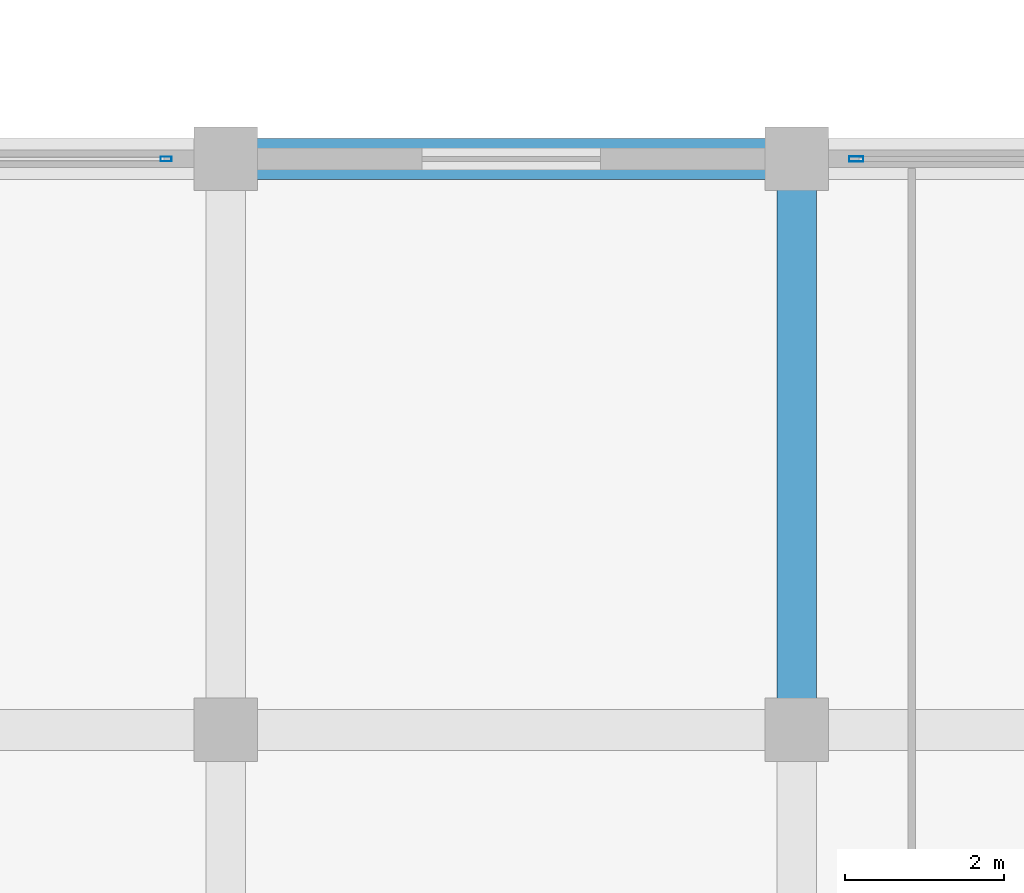
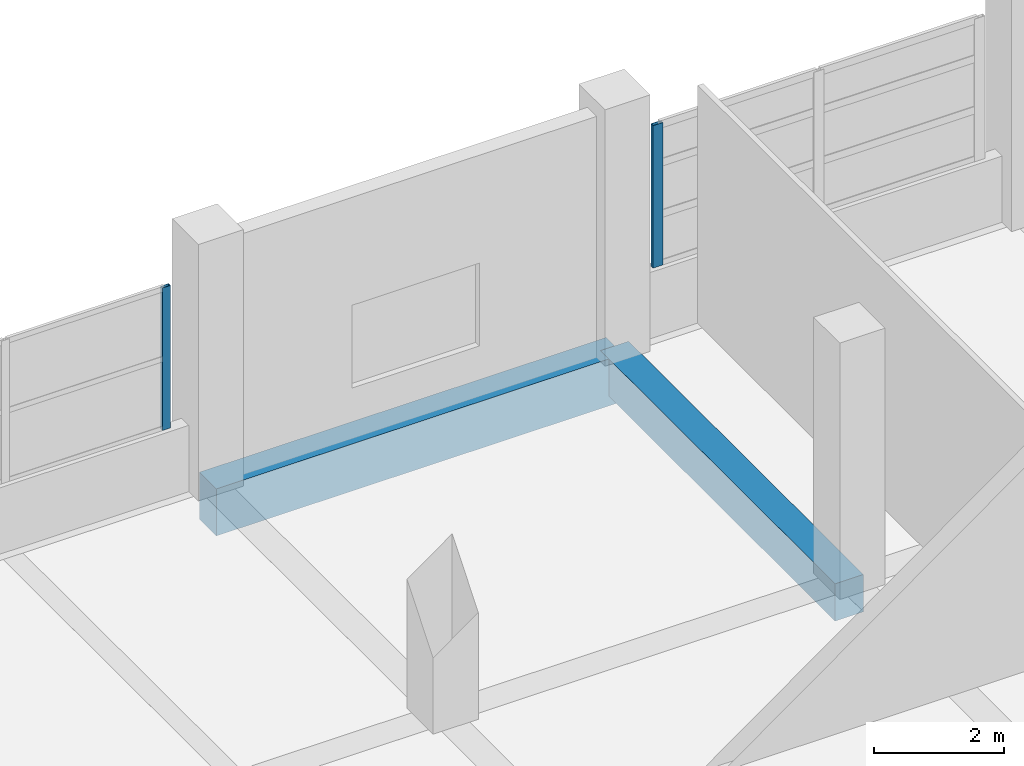
# One storey, part 14 of 140: 2 beams, 2 members, 2 elements without a shape of their own.
"""IFC4 building model written with IfcOpenShell, lengths in metres."""

from ifc_helpers import new_model, si_unit, direction, frame, origin, origin_2d, place, context, subcontext, project, spatial, rectangle, hollow_rectangle, extrude, material, layer, layer_set, material_profile, profile_set, type_object, element, aggregate, save


model = new_model("IFC4")

# Units and contexts
model_context = context("Model", 3, precision=1e-05, world=origin(), true_north=direction((0.0, 1.0)))
body_context = subcontext(model_context, "Body", "Model", "MODEL_VIEW")
ifc_project = project(units=[si_unit("LENGTHUNIT", "METRE"), si_unit("AREAUNIT", "SQUARE_METRE"), si_unit("VOLUMEUNIT", "CUBIC_METRE"), si_unit("PLANEANGLEUNIT", "RADIAN"), si_unit("MASSUNIT", "GRAM", prefix="KILO")], contexts=[model_context])

# Site, building, storey
site_placement = place(None, origin())
site = spatial("IfcSite", under=ifc_project, at=site_placement, CompositionType="ELEMENT")
building_placement = place(site_placement, origin())
building = spatial("IfcBuilding", under=site, at=building_placement, Name="Seraya Terrace Polytechnic", CompositionType="ELEMENT")
storey_placement = place(building_placement, frame((0.0, 0.0, 9.60009765625)))
storey = spatial("IfcBuildingStorey", under=building, at=storey_placement, Name="L02", CompositionType="ELEMENT", Elevation=9.60009765625)

# Beams
ifc_material_1 = material(Name="Concrete C40/50", Category="concrete")
ifc_material_profile_1 = material_profile(ifc_material_1, rectangle(XDim=0.52001953125, YDim=0.8798828125, at=origin_2d()), Name="RC 520x880")
ifc_profile_set_1 = profile_set([ifc_material_profile_1], Name="Concrete C40/50")
beam_type_1 = type_object("IfcBeamType", Name="BM-04", PredefinedType="BEAM", material=ifc_profile_set_1)
beam_1_placement = place(storey_placement, frame((50.39990234375, 28.800048828125, -0.440185546875), z_axis=(1.0, 0.0, 0.0), x_axis=(0.0, 1.0, 0.0)))
element("IfcBeam", 1, at=beam_1_placement, inside=storey, type_object=beam_type_1, Name="Beam BM-04 L02 X (50.4..57.6, 28.8)", PredefinedType="BEAM", context=body_context, shape_type="SweptSolid", body=[
    extrude(rectangle(XDim=0.52001953125, YDim=0.8798828125, at=origin_2d()), origin(), (0.0, 0.0, 1.0), 7.2001953125),
])
ifc_material_profile_2 = material_profile(ifc_material_1, rectangle(XDim=0.5, YDim=0.699951171875, at=origin_2d()), Name="RC 500x700")
ifc_profile_set_2 = profile_set([ifc_material_profile_2], Name="Concrete C40/50")
beam_type_2 = type_object("IfcBeamType", Name="BM-07", PredefinedType="BEAM", material=ifc_profile_set_2)
beam_2_placement = place(storey_placement, frame((57.60009765625, 21.60009765625, -0.35009765625), z_axis=(0.0, 1.0, 0.0), x_axis=(-1.0, 0.0, 0.0)))
element("IfcBeam", 2, at=beam_2_placement, inside=storey, type_object=beam_type_2, Name="Beam BM-07 L02 Y (57.6, 21.6..28.8)", PredefinedType="BEAM", context=body_context, shape_type="SweptSolid", body=[
    extrude(rectangle(XDim=0.5, YDim=0.699951171875, at=origin_2d()), origin(), (0.0, 0.0, 1.0), 7.199951171875),
])

# Curtain wall, member
ifc_material_2 = material(Name="Anodised aluminium EN AW-6063 T6", Category="aluminium")
ifc_layer_1 = layer(ifc_material_2, 0.179931640625, Name="CW-07")
ifc_layer_set_1 = layer_set([ifc_layer_1], Name="Anodised aluminium EN AW-6063 T6")
curtain_wall_type_1 = type_object("IfcCurtainWallType", Name="CW-07", PredefinedType="NOTDEFINED", material=ifc_layer_set_1)
curtain_wall_1_placement = place(storey_placement, origin())
curtain_wall_1 = element("IfcCurtainWall", 3, at=curtain_wall_1_placement, inside=storey, type_object=curtain_wall_type_1, Name="Unitised curtain wall CW-07 (CW-L02-079)", PredefinedType="NOTDEFINED")
ifc_material_profile_3 = material_profile(ifc_material_2, hollow_rectangle(XDim=0.06494140625, YDim=0.179931640625, WallThickness=0.00390625, at=origin_2d()), Name="RHS 180x65x4.0")
ifc_profile_set_3 = profile_set([ifc_material_profile_3], Name="Anodised aluminium EN AW-6063 T6")
member_type_1 = type_object("IfcMemberType", Name="CWM-01", PredefinedType="MULLION", material=ifc_profile_set_3)
member_1_placement = place(storey_placement, frame((58.3525390625, 28.800048828125, 1.239990234375), z_axis=(0.0, 0.0, 1.0), x_axis=(0.0, 1.0, 0.0)))
member_1 = element("IfcMember", 4, at=member_1_placement, type_object=member_type_1, Name="CW-07 mullion 1", PredefinedType="MULLION", context=body_context, shape_type="SweptSolid", body=[
    extrude(hollow_rectangle(XDim=0.06494140625, YDim=0.179931640625, WallThickness=0.00390625, at=origin_2d()), origin(), (0.0, 0.0, 1.0), 2.669921875),
])
aggregate(curtain_wall_1, [member_1])

ifc_layer_2 = layer(ifc_material_2, 0.179931640625, Name="CW-06")
ifc_layer_set_2 = layer_set([ifc_layer_2], Name="Anodised aluminium EN AW-6063 T6")
curtain_wall_type_2 = type_object("IfcCurtainWallType", Name="CW-06", PredefinedType="NOTDEFINED", material=ifc_layer_set_2)
curtain_wall_2_placement = place(storey_placement, origin())
curtain_wall_2 = element("IfcCurtainWall", 5, at=curtain_wall_2_placement, inside=storey, type_object=curtain_wall_type_2, Name="Unitised curtain wall CW-06 (CW-L02-078)", PredefinedType="NOTDEFINED")
ifc_material_profile_4 = material_profile(ifc_material_2, hollow_rectangle(XDim=0.06005859375, YDim=0.139892578125, WallThickness=0.00341796875, at=origin_2d()), Name="RHS 140x60x3.5")
ifc_profile_set_4 = profile_set([ifc_material_profile_4], Name="Anodised aluminium EN AW-6063 T6")
member_type_2 = type_object("IfcMemberType", Name="CWM-03", PredefinedType="MULLION", material=ifc_profile_set_4)
member_2_placement = place(storey_placement, frame((49.64990234375, 28.800048828125, 1.239990234375), z_axis=(0.0, 0.0, 1.0), x_axis=(0.0, 1.0, 0.0)))
member_2 = element("IfcMember", 6, at=member_2_placement, type_object=member_type_2, Name="CW-06 mullion 3", PredefinedType="MULLION", context=body_context, shape_type="SweptSolid", body=[
    extrude(hollow_rectangle(XDim=0.06005859375, YDim=0.139892578125, WallThickness=0.00341796875, at=origin_2d()), origin(), (0.0, 0.0, 1.0), 2.669921875),
])
aggregate(curtain_wall_2, [member_2])

save(model, "model.ifc")
